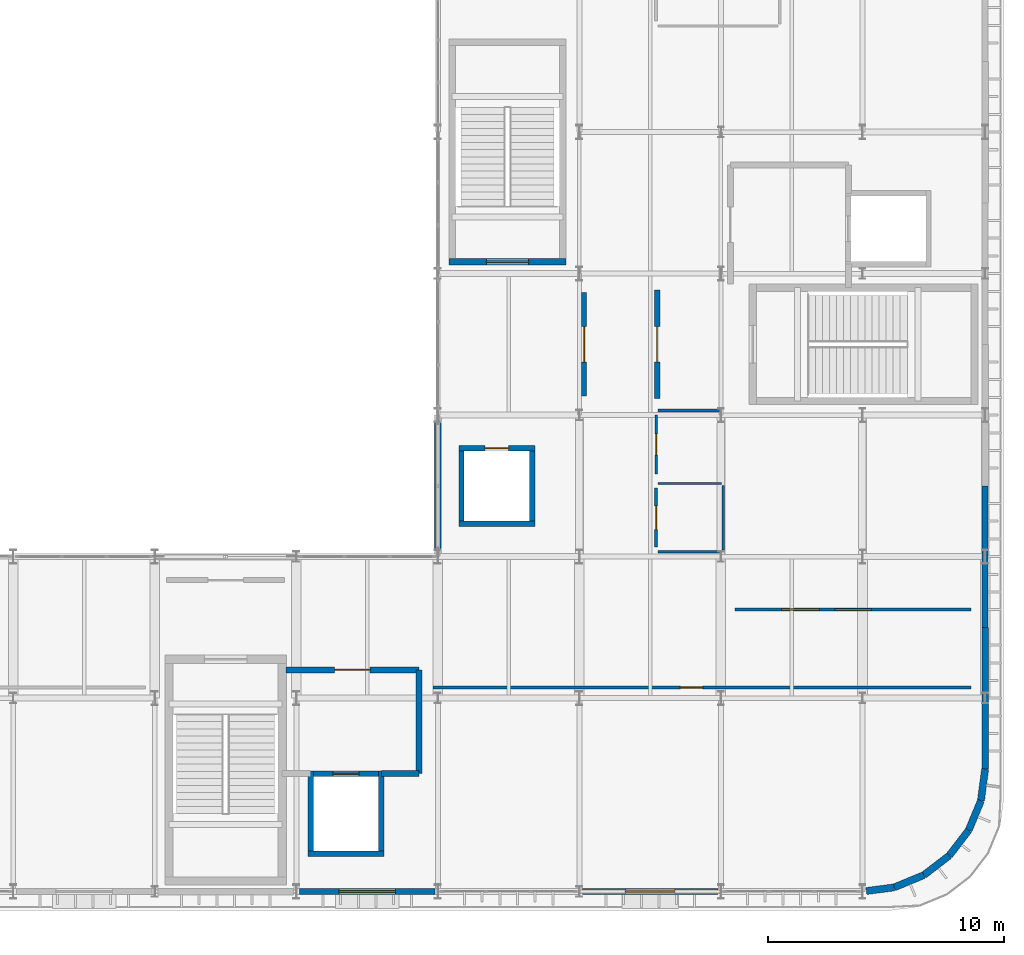
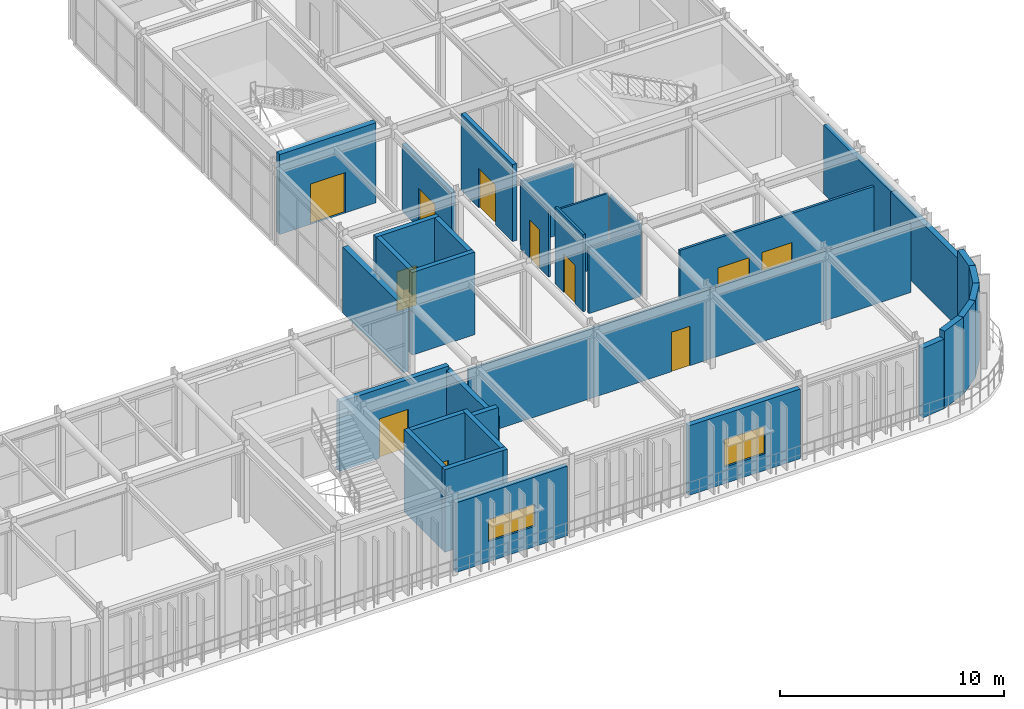
# One storey, part 70 of 96: 33 walls, 10 doors, 3 windows, 13 openings.
"""IFC4 building model written with IfcOpenShell, lengths in metres."""

from ifc_helpers import new_model, si_unit, direction, frame, frame_2d, origin, place, context, subcontext, project, spatial, rectangle, extrude, material, layer, layer_set, type_object, element, fill, save


model = new_model("IFC4")

# Units and contexts
model_context = context("Model", 3, precision=1e-05, world=origin(), true_north=direction((0.0, 1.0)))
body_context = subcontext(model_context, "Body", "Model", "MODEL_VIEW")
ifc_project = project(units=[si_unit("LENGTHUNIT", "METRE"), si_unit("AREAUNIT", "SQUARE_METRE"), si_unit("VOLUMEUNIT", "CUBIC_METRE"), si_unit("PLANEANGLEUNIT", "RADIAN"), si_unit("MASSUNIT", "GRAM", prefix="KILO")], contexts=[model_context])

# Site, building, storey
site_placement = place(None, origin())
site = spatial("IfcSite", under=ifc_project, at=site_placement, CompositionType="ELEMENT")
building_placement = place(site_placement, origin())
building = spatial("IfcBuilding", under=site, at=building_placement, Name="Varnakota Square Police Headquarters", CompositionType="ELEMENT")
storey_placement = place(building_placement, frame((0.0, 0.0, 4.800048828125)))
storey = spatial("IfcBuildingStorey", under=building, at=storey_placement, Name="L01", CompositionType="ELEMENT", Elevation=4.800048828125)

# Walls
ifc_material_1 = material(Name="Concrete M40", Category="concrete")
ifc_layer_1 = layer(ifc_material_1, 0.22998046875, Name="Concrete M40")
ifc_layer_set_1 = layer_set([ifc_layer_1], Name="Concrete M40")
wall_type_1 = type_object("IfcWallType", Name="WL-CORE-230", PredefinedType="SHEAR", material=ifc_layer_set_1)
wall_1_placement = place(storey_placement, frame((132.485107421875, 2.39990234375, 0.0), z_axis=(0.0, 0.0, 1.0), x_axis=(1.0, 0.0, 0.0)))
element("IfcWall", 1, at=wall_1_placement, inside=storey, type_object=wall_type_1, Name="Lift shaft wall LF-FF1 L01 S", PredefinedType="SHEAR", context=body_context, shape_type="SweptSolid", body=[
    extrude(rectangle(XDim=3.22998046875, YDim=0.22998046875, at=frame_2d((1.614990234375, 0.0))), origin(), (0.0, 0.0, 1.0), 4.5),
])
wall_2_placement = place(storey_placement, frame((135.60009765625, 2.284912109375, 0.0), z_axis=(0.0, 0.0, 1.0), x_axis=(0.0, 1.0, 0.0)))
element("IfcWall", 2, at=wall_2_placement, inside=storey, type_object=wall_type_1, Name="Lift shaft wall LF-FF1 L01 E", PredefinedType="SHEAR", context=body_context, shape_type="SweptSolid", body=[
    extrude(rectangle(XDim=3.630126953125, YDim=0.22998046875, at=frame_2d((1.81494140625, 0.0))), origin(), (0.0, 0.0, 1.0), 4.5),
])

# Wall, opening, door
wall_3_placement = place(storey_placement, frame((135.715087890625, 5.800048828125, 0.0), z_axis=(0.0, 0.0, 1.0), x_axis=(-1.0, 0.0, 0.0)))
wall_3 = element("IfcWall", 3, at=wall_3_placement, inside=storey, type_object=wall_type_1, Name="Lift shaft wall LF-FF1 L01 N", PredefinedType="SHEAR", context=body_context, shape_type="SweptSolid", body=[
    extrude(rectangle(XDim=3.22998046875, YDim=0.22998046875, at=frame_2d((1.614990234375, 0.0))), origin(), (0.0, 0.0, 1.0), 4.5),
])
opening_1_placement = place(wall_3_placement, frame((1.06494140625, 0.0, 0.0)))
opening_1 = element("IfcOpeningElement", 4, at=opening_1_placement, cuts=wall_3, Name="Opening LD002", PredefinedType="OPENING", context=body_context, shape_type="SweptSolid", body=[
    extrude(rectangle(XDim=1.10009765625, YDim=2.199951171875, at=frame_2d((0.550048828125, 1.10009765625))), frame((0.0, 0.125, 0.0), z_axis=(0.0, -1.0, 0.0), x_axis=(1.0, 0.0, 0.0)), (0.0, 0.0, 1.0), 0.25),
])
ifc_material_2 = material(Name="Brushed Grade 316 Stainless Steel", Category="steel")
door_type_1 = type_object("IfcDoorType", Name="DR-LD-FF", OperationType="NOTDEFINED", PredefinedType="DOOR", material=ifc_material_2)
door_1_placement = place(opening_1_placement, origin())
door_1 = element("IfcDoor", 5, at=door_1_placement, inside=storey, type_object=door_type_1, Name="Lift sliding landing door LD002", OperationType="SLIDING_TO_LEFT", OverallHeight=2.199951171875, OverallWidth=1.10009765625, PredefinedType="DOOR", context=body_context, shape_type="SweptSolid", body=[
    extrude(rectangle(XDim=1.10009765625, YDim=2.199951171875, at=frame_2d((0.550048828125, 1.10009765625))), frame((0.0, 0.02490234375, 0.0), z_axis=(0.0, -1.0, 0.0), x_axis=(1.0, 0.0, 0.0)), (0.0, 0.0, 1.0), 0.050048828125),
])
fill(opening_1, door_1)

# Walls
wall_4_placement = place(storey_placement, frame((132.60009765625, 5.9150390625, 0.0), z_axis=(0.0, 0.0, 1.0), x_axis=(0.0, -1.0, 0.0)))
element("IfcWall", 6, at=wall_4_placement, inside=storey, type_object=wall_type_1, Name="Lift shaft wall LF-FF1 L01 W", PredefinedType="SHEAR", context=body_context, shape_type="SweptSolid", body=[
    extrude(rectangle(XDim=3.630126953125, YDim=0.22998046875, at=frame_2d((1.81494140625, 0.0))), origin(), (0.0, 0.0, 1.0), 4.5),
])
wall_5_placement = place(storey_placement, frame((138.885009765625, 16.39990234375, 0.0), z_axis=(0.0, 0.0, 1.0), x_axis=(1.0, 0.0, 0.0)))
element("IfcWall", 7, at=wall_5_placement, inside=storey, type_object=wall_type_1, Name="Lift shaft wall LF-P1 L01 S", PredefinedType="SHEAR", context=body_context, shape_type="SweptSolid", body=[
    extrude(rectangle(XDim=3.22998046875, YDim=0.22998046875, at=frame_2d((1.614990234375, 0.0))), origin(), (0.0, 0.0, 1.0), 4.5),
])
wall_6_placement = place(storey_placement, frame((142.0, 16.284912109375, 0.0), z_axis=(0.0, 0.0, 1.0), x_axis=(0.0, 1.0, 0.0)))
element("IfcWall", 8, at=wall_6_placement, inside=storey, type_object=wall_type_1, Name="Lift shaft wall LF-P1 L01 E", PredefinedType="SHEAR", context=body_context, shape_type="SweptSolid", body=[
    extrude(rectangle(XDim=3.43017578125, YDim=0.22998046875, at=frame_2d((1.715087890625, 0.0))), origin(), (0.0, 0.0, 1.0), 4.5),
])

# Wall, opening, door
wall_7_placement = place(storey_placement, frame((142.114990234375, 19.60009765625, 0.0), z_axis=(0.0, 0.0, 1.0), x_axis=(-1.0, 0.0, 0.0)))
wall_7 = element("IfcWall", 9, at=wall_7_placement, inside=storey, type_object=wall_type_1, Name="Lift shaft wall LF-P1 L01 N", PredefinedType="SHEAR", context=body_context, shape_type="SweptSolid", body=[
    extrude(rectangle(XDim=3.22998046875, YDim=0.22998046875, at=frame_2d((1.614990234375, 0.0))), origin(), (0.0, 0.0, 1.0), 4.5),
])
opening_2_placement = place(wall_7_placement, frame((1.114990234375, 0.0, 0.0)))
opening_2 = element("IfcOpeningElement", 10, at=opening_2_placement, cuts=wall_7, Name="Opening LD018", PredefinedType="OPENING", context=body_context, shape_type="SweptSolid", body=[
    extrude(rectangle(XDim=1.0, YDim=2.14990234375, at=frame_2d((0.5, 1.074951171875))), frame((0.0, 0.125, 0.0), z_axis=(0.0, -1.0, 0.0), x_axis=(1.0, 0.0, 0.0)), (0.0, 0.0, 1.0), 0.25),
])
door_type_2 = type_object("IfcDoorType", Name="DR-LD-PAX", OperationType="NOTDEFINED", PredefinedType="DOOR", material=ifc_material_2)
door_2_placement = place(opening_2_placement, origin())
door_2 = element("IfcDoor", 11, at=door_2_placement, inside=storey, type_object=door_type_2, Name="Lift sliding landing door LD018", OperationType="SLIDING_TO_LEFT", OverallHeight=2.14990234375, OverallWidth=1.0, PredefinedType="DOOR", context=body_context, shape_type="SweptSolid", body=[
    extrude(rectangle(XDim=1.0, YDim=2.14990234375, at=frame_2d((0.5, 1.074951171875))), frame((0.0, 0.02490234375, 0.0), z_axis=(0.0, -1.0, 0.0), x_axis=(1.0, 0.0, 0.0)), (0.0, 0.0, 1.0), 0.050048828125),
])
fill(opening_2, door_2)

# Wall
wall_8_placement = place(storey_placement, frame((139.0, 19.715087890625, 0.0), z_axis=(0.0, 0.0, 1.0), x_axis=(0.0, -1.0, 0.0)))
element("IfcWall", 12, at=wall_8_placement, inside=storey, type_object=wall_type_1, Name="Lift shaft wall LF-P1 L01 W", PredefinedType="SHEAR", context=body_context, shape_type="SweptSolid", body=[
    extrude(rectangle(XDim=3.43017578125, YDim=0.22998046875, at=frame_2d((1.715087890625, 0.0))), origin(), (0.0, 0.0, 1.0), 4.5),
])

# Wall, opening, door
ifc_material_3 = material(Name="Concrete M50", Category="concrete")
ifc_layer_2 = layer(ifc_material_3, 0.27001953125, Name="Concrete M50")
ifc_layer_set_2 = layer_set([ifc_layer_2], Name="Concrete M50")
wall_type_2 = type_object("IfcWallType", Name="WL-CORE-270", PredefinedType="SHEAR", material=ifc_layer_set_2)
wall_9_placement = place(storey_placement, frame((138.465087890625, 27.5, 0.0), z_axis=(0.0, 0.0, 1.0), x_axis=(1.0, 0.0, 0.0)))
wall_9 = element("IfcWall", 13, at=wall_9_placement, inside=storey, type_object=wall_type_2, Name="Core C3 shear wall L01 S", PredefinedType="SHEAR", context=body_context, shape_type="SweptSolid", body=[
    extrude(rectangle(XDim=4.969970703125, YDim=0.27001953125, at=frame_2d((2.48486328125, 0.0))), origin(), (0.0, 0.0, 1.0), 4.35986328125),
])
opening_3_placement = place(wall_9_placement, frame((1.5849609375, 0.0, 0.0)))
opening_3 = element("IfcOpeningElement", 14, at=opening_3_placement, cuts=wall_9, Name="Opening SD050", PredefinedType="OPENING", context=body_context, shape_type="SweptSolid", body=[
    extrude(rectangle(XDim=1.800048828125, YDim=2.199951171875, at=frame_2d((0.89990234375, 1.10009765625))), frame((0.0, 0.14501953125, 0.0), z_axis=(0.0, -1.0, 0.0), x_axis=(1.0, 0.0, 0.0)), (0.0, 0.0, 1.0), 0.2900390625),
])
ifc_material_4 = material(Name="Powder-Coated Galvanised Steel", Category="steel")
door_type_3 = type_object("IfcDoorType", Name="DR-ST-180", OperationType="NOTDEFINED", PredefinedType="DOOR", material=ifc_material_4)
door_3_placement = place(opening_3_placement, origin())
door_3 = element("IfcDoor", 15, at=door_3_placement, inside=storey, type_object=door_type_3, Name="Protected stair door SD050", OperationType="DOUBLE_DOOR_SINGLE_SWING", OverallHeight=2.199951171875, OverallWidth=1.800048828125, PredefinedType="DOOR", context=body_context, shape_type="SweptSolid", body=[
    extrude(rectangle(XDim=1.800048828125, YDim=2.199951171875, at=frame_2d((0.89990234375, 1.10009765625))), frame((0.0, 0.02490234375, 0.0), z_axis=(0.0, -1.0, 0.0), x_axis=(1.0, 0.0, 0.0)), (0.0, 0.0, 1.0), 0.050048828125),
])
fill(opening_3, door_3)

# Wall, opening, window
ifc_layer_3 = layer(ifc_material_1, 0.260009765625, Name="Concrete M40")
ifc_layer_set_3 = layer_set([ifc_layer_3], Name="Concrete M40")
wall_type_3 = type_object("IfcWallType", Name="WL-EXT-260", PredefinedType="SOLIDWALL", material=ifc_layer_set_3)
wall_10_placement = place(storey_placement, frame((132.12890625, 0.800048828125, 0.0), z_axis=(0.0, 0.0, 1.0), x_axis=(1.0, 0.0, 0.0)))
wall_10 = element("IfcWall", 16, at=wall_10_placement, inside=storey, type_object=wall_type_3, Name="Exterior wall EW-L01-0143", PredefinedType="SOLIDWALL", context=body_context, shape_type="SweptSolid", body=[
    extrude(rectangle(XDim=5.7421875, YDim=0.260009765625, at=frame_2d((2.87109375, 0.0))), origin(), (0.0, 0.0, 1.0), 3.7900390625),
])
opening_4_placement = place(wall_10_placement, frame((1.6708984375, 0.0, 1.10009765625)))
opening_4 = element("IfcOpeningElement", 17, at=opening_4_placement, cuts=wall_10, Name="Opening W06", PredefinedType="OPENING", context=body_context, shape_type="SweptSolid", body=[
    extrude(rectangle(XDim=2.39990234375, YDim=1.199951171875, at=frame_2d((1.199951171875, 0.60009765625))), frame((0.0, 0.139892578125, 0.0), z_axis=(0.0, -1.0, 0.0), x_axis=(1.0, 0.0, 0.0)), (0.0, 0.0, 1.0), 0.280029296875),
])
ifc_material_5 = material(Name="Thermally Broken Aluminium Double-Glazed Window", Category="aluminium")
window_type_1 = type_object("IfcWindowType", Name="WIN-06", PartitioningType="SINGLE_PANEL", PredefinedType="WINDOW", material=ifc_material_5)
window_1_placement = place(opening_4_placement, origin())
window_1 = element("IfcWindow", 18, at=window_1_placement, inside=storey, type_object=window_type_1, Name="Window WN-L01-0020", OverallHeight=1.199951171875, OverallWidth=2.39990234375, PartitioningType="SINGLE_PANEL", PredefinedType="WINDOW", context=body_context, shape_type="SweptSolid", body=[
    extrude(rectangle(XDim=2.39990234375, YDim=1.199951171875, at=frame_2d((1.199951171875, 0.60009765625))), frame((0.0, 0.030029296875, 0.0), z_axis=(0.0, -1.0, 0.0), x_axis=(1.0, 0.0, 0.0)), (0.0, 0.0, 1.0), 0.06005859375),
])
fill(opening_4, window_1)

wall_11_placement = place(storey_placement, frame((144.12890625, 0.800048828125, 0.0), z_axis=(0.0, 0.0, 1.0), x_axis=(1.0, 0.0, 0.0)))
wall_11 = element("IfcWall", 19, at=wall_11_placement, inside=storey, type_object=wall_type_3, Name="Exterior wall EW-L01-0144", PredefinedType="SOLIDWALL", context=body_context, shape_type="SweptSolid", body=[
    extrude(rectangle(XDim=5.7421875, YDim=0.260009765625, at=frame_2d((2.87109375, 0.0))), origin(), (0.0, 0.0, 1.0), 3.7900390625),
])
opening_5_placement = place(wall_11_placement, frame((1.821044921875, 0.0, 0.89990234375)))
opening_5 = element("IfcOpeningElement", 20, at=opening_5_placement, cuts=wall_11, Name="Opening W08", PredefinedType="OPENING", context=body_context, shape_type="SweptSolid", body=[
    extrude(rectangle(XDim=2.10009765625, YDim=1.5, at=frame_2d((1.050048828125, 0.75))), frame((0.0, 0.139892578125, 0.0), z_axis=(0.0, -1.0, 0.0), x_axis=(1.0, 0.0, 0.0)), (0.0, 0.0, 1.0), 0.280029296875),
])
window_type_2 = type_object("IfcWindowType", Name="WIN-08", PartitioningType="SINGLE_PANEL", PredefinedType="WINDOW", material=ifc_material_5)
window_2_placement = place(opening_5_placement, origin())
window_2 = element("IfcWindow", 21, at=window_2_placement, inside=storey, type_object=window_type_2, Name="Window WN-L01-0021", OverallHeight=1.5, OverallWidth=2.10009765625, PartitioningType="SINGLE_PANEL", PredefinedType="WINDOW", context=body_context, shape_type="SweptSolid", body=[
    extrude(rectangle(XDim=2.10009765625, YDim=1.5, at=frame_2d((1.050048828125, 0.75))), frame((0.0, 0.030029296875, 0.0), z_axis=(0.0, -1.0, 0.0), x_axis=(1.0, 0.0, 0.0)), (0.0, 0.0, 1.0), 0.06005859375),
])
fill(opening_5, window_2)

# Walls
wall_12_placement = place(storey_placement, frame((161.199951171875, 12.0, 0.0), z_axis=(0.0, 0.0, 1.0), x_axis=(0.0, 1.0, 0.0)))
element("IfcWall", 22, at=wall_12_placement, inside=storey, type_object=wall_type_3, Name="Exterior wall EW-L01-0146", PredefinedType="SOLIDWALL", context=body_context, shape_type="SweptSolid", body=[
    extrude(rectangle(XDim=6.0, YDim=0.260009765625, at=frame_2d((3.0, 0.0))), origin(), (0.0, 0.0, 1.0), 3.739990234375),
])
ifc_layer_4 = layer(ifc_material_1, 0.280029296875, Name="Concrete M40")
ifc_layer_set_4 = layer_set([ifc_layer_4], Name="Concrete M40")
wall_type_4 = type_object("IfcWallType", Name="WL-EXT-280", PredefinedType="SOLIDWALL", material=ifc_layer_set_4)
wall_13_placement = place(storey_placement, frame((161.199951171875, 6.0, 0.0), z_axis=(0.0, 0.0, 1.0), x_axis=(0.0, 1.0, 0.0)))
element("IfcWall", 23, at=wall_13_placement, inside=storey, type_object=wall_type_4, Name="Exterior wall EW-L01-0145", PredefinedType="SOLIDWALL", context=body_context, shape_type="SweptSolid", body=[
    extrude(rectangle(XDim=6.0, YDim=0.280029296875, at=frame_2d((3.0, 0.0))), origin(), (0.0, 0.0, 1.0), 3.739990234375),
])
wall_14_placement = place(storey_placement, frame((138.0, 15.303955078125, 0.0), z_axis=(0.0, 0.0, 1.0), x_axis=(0.0, 1.0, 0.0)))
element("IfcWall", 24, at=wall_14_placement, inside=storey, type_object=wall_type_4, Name="Exterior wall EW-L01-0152", PredefinedType="SOLIDWALL", context=body_context, shape_type="SweptSolid", body=[
    extrude(rectangle(XDim=5.39208984375, YDim=0.280029296875, at=frame_2d((2.696044921875, 0.0))), origin(), (0.0, 0.0, 1.0), 3.58984375),
])
ifc_material_6 = material(Name="Precast concrete M40", Category="concrete")
ifc_layer_5 = layer(ifc_material_6, 0.300048828125, Name="Precast concrete M40")
ifc_layer_set_5 = layer_set([ifc_layer_5], Name="Precast concrete M40")
wall_type_5 = type_object("IfcWallType", Name="WL-EXT-300", PredefinedType="SOLIDWALL", material=ifc_layer_set_5)
wall_15_placement = place(storey_placement, frame((156.165771484375, 0.82177734375, 0.0), z_axis=(0.0, 0.0, 1.0), x_axis=(0.991429146379, 0.130645503981, 0.0)))
element("IfcWall", 25, at=wall_15_placement, inside=storey, type_object=wall_type_5, Name="Exterior wall EW-L01-0164", PredefinedType="SOLIDWALL", context=body_context, shape_type="SweptSolid", body=[
    extrude(rectangle(XDim=1.1904296875, YDim=0.300048828125, at=frame_2d((0.59521484375, 0.0))), origin(), (0.0, 0.0, 1.0), 3.7900390625),
])
for number, where, z_axis, x_axis, name in (
    (26, (157.345947265625, 0.977294921875, 0.0), (0.0, 0.0, 1.0), (0.923931353894, 0.382558300513, 0.0), "Exterior wall EW-L01-0165"),
    (27, (158.60009765625, 1.49658203125, 0.0), (0.0, 0.0, 1.0), (0.793325486746, 0.608797726736, 0.0), "Exterior wall EW-L01-0166"),
    (28, (159.677001953125, 2.322998046875, 0.0), (0.0, 0.0, 1.0), (0.608797726736, 0.793325486746, 0.0), "Exterior wall EW-L01-0167"),
    (29, (160.50341796875, 3.39990234375, 0.0), (0.0, 0.0, 1.0), (0.382558300513, 0.923931353894, 0.0), "Exterior wall EW-L01-0168"),
):
    element("IfcWall", number, at=place(storey_placement, frame(where, z_axis=z_axis, x_axis=x_axis)), inside=storey, type_object=wall_type_5, Name=name, PredefinedType="SOLIDWALL", context=body_context, shape_type="SweptSolid", body=[
        extrude(rectangle(XDim=1.357421875, YDim=0.300048828125, at=frame_2d((0.6787109375, 0.0))), origin(), (0.0, 0.0, 1.0), 4.195068359375),
    ])
wall_16_placement = place(storey_placement, frame((161.022705078125, 4.654052734375, 0.0), z_axis=(0.0, 0.0, 1.0), x_axis=(0.130561507967, 0.991440211328, 0.0)))
element("IfcWall", 30, at=wall_16_placement, inside=storey, type_object=wall_type_5, Name="Exterior wall EW-L01-0169", PredefinedType="SOLIDWALL", context=body_context, shape_type="SweptSolid", body=[
    extrude(rectangle(XDim=1.357666015625, YDim=0.300048828125, at=frame_2d((0.6787109375, 0.0))), origin(), (0.0, 0.0, 1.0), 4.195068359375),
])
ifc_material_7 = material(Name="Lightweight Demountable Office Partition", Category="gypsum")
ifc_layer_6 = layer(ifc_material_7, 0.094970703125, Name="Lightweight Demountable Office Partition")
ifc_layer_set_6 = layer_set([ifc_layer_6], Name="Lightweight Demountable Office Partition")
wall_type_6 = type_object("IfcWallType", Name="WL-PRT-095", PredefinedType="PARTITIONING", material=ifc_layer_set_6)
wall_17_placement = place(storey_placement, frame((147.330078125, 18.10009765625, 0.0), z_axis=(0.0, 0.0, 1.0), x_axis=(1.0, 0.0, 0.0)))
element("IfcWall", 31, at=wall_17_placement, inside=storey, type_object=wall_type_6, Name="Interior dividing partition PW-L01-0110 (L01 Accessible WC East)", PredefinedType="PARTITIONING", context=body_context, shape_type="SweptSolid", body=[
    extrude(rectangle(XDim=2.68994140625, YDim=0.094970703125, at=frame_2d((1.344970703125, 0.0))), origin(), (0.0, 0.0, 1.0), 3.865966796875),
])

# Wall, opening, door
ifc_material_8 = material(Name="Glazed Clean-Lab Modular Partition", Category="gypsum")
ifc_layer_7 = layer(ifc_material_8, 0.10498046875, Name="Glazed Clean-Lab Modular Partition")
ifc_layer_set_7 = layer_set([ifc_layer_7], Name="Glazed Clean-Lab Modular Partition")
wall_type_7 = type_object("IfcWallType", Name="WL-PRT-105", PredefinedType="PARTITIONING", material=ifc_layer_set_7)
wall_18_placement = place(storey_placement, frame((147.25, 18.5, 0.0), z_axis=(0.0, 0.0, 1.0), x_axis=(0.0, 1.0, 0.0)))
wall_18 = element("IfcWall", 32, at=wall_18_placement, inside=storey, type_object=wall_type_7, Name="Interior partition PW-L01-0083 (L01 Operations Men Washroom WC)", PredefinedType="PARTITIONING", context=body_context, shape_type="SweptSolid", body=[
    extrude(rectangle(XDim=2.5, YDim=0.10498046875, at=frame_2d((1.25, 0.0))), origin(), (0.0, 0.0, 1.0), 3.58984375),
])
opening_6_placement = place(wall_18_placement, frame((0.800048828125, 0.0, 0.0)))
opening_6 = element("IfcOpeningElement", 33, at=opening_6_placement, cuts=wall_18, Name="Opening D189", PredefinedType="OPENING", context=body_context, shape_type="SweptSolid", body=[
    extrude(rectangle(XDim=0.89990234375, YDim=2.10009765625, at=frame_2d((0.449951171875, 1.050048828125))), frame((0.0, 0.0625, 0.0), z_axis=(0.0, -1.0, 0.0), x_axis=(1.0, 0.0, 0.0)), (0.0, 0.0, 1.0), 0.125),
])
ifc_material_9 = material(Name="High-Pressure Moisture-Resistant Compact Laminate")
door_type_4 = type_object("IfcDoorType", Name="DR-WC-090", OperationType="NOTDEFINED", PredefinedType="DOOR", material=ifc_material_9)
door_4_placement = place(opening_6_placement, origin())
door_4 = element("IfcDoor", 34, at=door_4_placement, inside=storey, type_object=door_type_4, Name="Room door D189 (L01 Operations Men Washroom WC)", OperationType="SINGLE_SWING_LEFT", OverallHeight=2.10009765625, OverallWidth=0.89990234375, PredefinedType="DOOR", context=body_context, shape_type="SweptSolid", body=[
    extrude(rectangle(XDim=0.89990234375, YDim=2.10009765625, at=frame_2d((0.449951171875, 1.050048828125))), frame((0.0, 0.02490234375, 0.0), z_axis=(0.0, -1.0, 0.0), x_axis=(1.0, 0.0, 0.0)), (0.0, 0.0, 1.0), 0.050048828125),
])
fill(opening_6, door_4)

# Wall
wall_19_placement = place(storey_placement, frame((150.02001953125, 15.199951171875, 0.0), z_axis=(0.0, 0.0, 1.0), x_axis=(-1.0, 0.0, 0.0)))
element("IfcWall", 35, at=wall_19_placement, inside=storey, type_object=wall_type_7, Name="Interior dividing partition PW-L01-0109 (L01 Accessible WC East)", PredefinedType="PARTITIONING", context=body_context, shape_type="SweptSolid", body=[
    extrude(rectangle(XDim=2.68994140625, YDim=0.10498046875, at=frame_2d((1.344970703125, 0.0))), origin(), (0.0, 0.0, 1.0), 3.58984375),
])

# Wall, opening, door
ifc_material_10 = material(Name="Moisture-Resistant Tile-Backed Partition", Category="gypsum")
ifc_layer_8 = layer(ifc_material_10, 0.114990234375, Name="Moisture-Resistant Tile-Backed Partition")
ifc_layer_set_8 = layer_set([ifc_layer_8], Name="Moisture-Resistant Tile-Backed Partition")
wall_type_8 = type_object("IfcWallType", Name="WL-PRT-115", PredefinedType="PARTITIONING", material=ifc_layer_set_8)
wall_20_placement = place(storey_placement, frame((137.800048828125, 9.449951171875, 0.0), z_axis=(0.0, 0.0, 1.0), x_axis=(1.0, 0.0, 0.0)))
wall_20 = element("IfcWall", 36, at=wall_20_placement, inside=storey, type_object=wall_type_8, Name="Interior partition PW-L01-0097 (District Coordination Office)", PredefinedType="PARTITIONING", context=body_context, shape_type="SweptSolid", body=[
    extrude(rectangle(XDim=22.800048828125, YDim=0.114990234375, at=frame_2d((11.39990234375, 0.0))), origin(), (0.0, 0.0, 1.0), 3.783447265625),
])
opening_7_placement = place(wall_20_placement, frame((10.47509765625, 0.0, 0.0)))
opening_7 = element("IfcOpeningElement", 37, at=opening_7_placement, cuts=wall_20, Name="Opening D203", PredefinedType="OPENING", context=body_context, shape_type="SweptSolid", body=[
    extrude(rectangle(XDim=0.949951171875, YDim=2.14990234375, at=frame_2d((0.47509765625, 1.074951171875))), frame((0.0, 0.0673828125, 0.0), z_axis=(0.0, -1.0, 0.0), x_axis=(1.0, 0.0, 0.0)), (0.0, 0.0, 1.0), 0.135009765625),
])
ifc_material_11 = material(Name="Solid-Core Teak Veneer Hardwood", Category="wood")
door_type_5 = type_object("IfcDoorType", Name="DR-OFF-095", OperationType="NOTDEFINED", PredefinedType="DOOR", material=ifc_material_11)
door_5_placement = place(opening_7_placement, origin())
door_5 = element("IfcDoor", 38, at=door_5_placement, inside=storey, type_object=door_type_5, Name="Room door D203 (District Coordination Office)", OperationType="SINGLE_SWING_RIGHT", OverallHeight=2.14990234375, OverallWidth=0.949951171875, PredefinedType="DOOR", context=body_context, shape_type="SweptSolid", body=[
    extrude(rectangle(XDim=0.949951171875, YDim=2.14990234375, at=frame_2d((0.47509765625, 1.074951171875))), frame((0.0, 0.02490234375, 0.0), z_axis=(0.0, -1.0, 0.0), x_axis=(1.0, 0.0, 0.0)), (0.0, 0.0, 1.0), 0.050048828125),
])
fill(opening_7, door_5)

# Wall
wall_21_placement = place(storey_placement, frame((150.10009765625, 18.02001953125, 0.0), z_axis=(0.0, 0.0, 1.0), x_axis=(0.0, -1.0, 0.0)))
element("IfcWall", 39, at=wall_21_placement, inside=storey, type_object=wall_type_8, Name="Interior dividing partition PW-L01-0108 (L01 Accessible WC East)", PredefinedType="PARTITIONING", context=body_context, shape_type="SweptSolid", body=[
    extrude(rectangle(XDim=2.739990234375, YDim=0.114990234375, at=frame_2d((1.3701171875, 0.0))), origin(), (0.0, 0.0, 1.0), 3.783447265625),
])

# Wall, opening, door
ifc_material_12 = material(Name="Acoustic Insulated Metal-Stud Partition", Category="gypsum")
ifc_layer_9 = layer(ifc_material_12, 0.125, Name="Acoustic Insulated Metal-Stud Partition")
ifc_layer_set_9 = layer_set([ifc_layer_9], Name="Acoustic Insulated Metal-Stud Partition")
wall_type_9 = type_object("IfcWallType", Name="WL-PRT-125", PredefinedType="PARTITIONING", material=ifc_layer_set_9)
wall_22_placement = place(storey_placement, frame((147.25, 15.39990234375, 0.0), z_axis=(0.0, 0.0, 1.0), x_axis=(0.0, 1.0, 0.0)))
wall_22 = element("IfcWall", 40, at=wall_22_placement, inside=storey, type_object=wall_type_9, Name="Interior partition PW-L01-0082 (L01 Accessible WC East)", PredefinedType="PARTITIONING", context=body_context, shape_type="SweptSolid", body=[
    extrude(rectangle(XDim=2.5, YDim=0.125, at=frame_2d((1.25, 0.0))), origin(), (0.0, 0.0, 1.0), 4.18994140625),
])
opening_8_placement = place(wall_22_placement, frame((0.75, 0.0, 0.0)))
opening_8 = element("IfcOpeningElement", 41, at=opening_8_placement, cuts=wall_22, Name="Opening D188", PredefinedType="OPENING", context=body_context, shape_type="SweptSolid", body=[
    extrude(rectangle(XDim=1.0, YDim=2.10009765625, at=frame_2d((0.5, 1.050048828125))), frame((0.0, 0.072509765625, 0.0), z_axis=(0.0, -1.0, 0.0), x_axis=(1.0, 0.0, 0.0)), (0.0, 0.0, 1.0), 0.14501953125),
])
ifc_material_13 = material(Name="Antimicrobial High-Pressure Compact Laminate")
door_type_6 = type_object("IfcDoorType", Name="DR-WCA-100", OperationType="NOTDEFINED", PredefinedType="DOOR", material=ifc_material_13)
door_6_placement = place(opening_8_placement, origin())
door_6 = element("IfcDoor", 42, at=door_6_placement, inside=storey, type_object=door_type_6, Name="Room door D188 (L01 Accessible WC East)", OperationType="SINGLE_SWING_RIGHT", OverallHeight=2.10009765625, OverallWidth=1.0, PredefinedType="DOOR", context=body_context, shape_type="SweptSolid", body=[
    extrude(rectangle(XDim=1.0, YDim=2.10009765625, at=frame_2d((0.5, 1.050048828125))), frame((0.0, 0.02490234375, 0.0), z_axis=(0.0, -1.0, 0.0), x_axis=(1.0, 0.0, 0.0)), (0.0, 0.0, 1.0), 0.050048828125),
])
fill(opening_8, door_6)

# Wall, openings, door, window
wall_23_placement = place(storey_placement, frame((160.60009765625, 12.75, 0.0), z_axis=(0.0, 0.0, 1.0), x_axis=(-1.0, 0.0, 0.0)))
wall_23 = element("IfcWall", 43, at=wall_23_placement, inside=storey, type_object=wall_type_9, Name="Interior partition PW-L01-0099 (Operations Conference Room)", PredefinedType="PARTITIONING", context=body_context, shape_type="SweptSolid", body=[
    extrude(rectangle(XDim=10.0, YDim=0.125, at=frame_2d((5.0, 0.0))), origin(), (0.0, 0.0, 1.0), 3.783447265625),
])
opening_9_placement = place(wall_23_placement, frame((4.22509765625, 0.0, 0.0)))
opening_9 = element("IfcOpeningElement", 44, at=opening_9_placement, cuts=wall_23, Name="Opening D205", PredefinedType="OPENING", context=body_context, shape_type="SweptSolid", body=[
    extrude(rectangle(XDim=1.550048828125, YDim=2.199951171875, at=frame_2d((0.77490234375, 1.10009765625))), frame((0.0, 0.072509765625, 0.0), z_axis=(0.0, -1.0, 0.0), x_axis=(1.0, 0.0, 0.0)), (0.0, 0.0, 1.0), 0.14501953125),
])
opening_10_placement = place(wall_23_placement, frame((6.425048828125, 0.0, 1.050048828125)))
opening_10 = element("IfcOpeningElement", 45, at=opening_10_placement, cuts=wall_23, Name="Opening IW03", PredefinedType="OPENING", context=body_context, shape_type="SweptSolid", body=[
    extrude(rectangle(XDim=1.60009765625, YDim=1.10009765625, at=frame_2d((0.800048828125, 0.550048828125))), frame((0.0, 0.072509765625, 0.0), z_axis=(0.0, -1.0, 0.0), x_axis=(1.0, 0.0, 0.0)), (0.0, 0.0, 1.0), 0.14501953125),
])
ifc_material_14 = material(Name="Solid-Core Acoustic Oak Veneer Timber", Category="wood")
door_type_7 = type_object("IfcDoorType", Name="DR-BRF-155", OperationType="NOTDEFINED", PredefinedType="DOOR", material=ifc_material_14)
door_7_placement = place(opening_9_placement, origin())
door_7 = element("IfcDoor", 46, at=door_7_placement, inside=storey, type_object=door_type_7, Name="Room door D205 (Operations Conference Room)", OperationType="DOUBLE_DOOR_SINGLE_SWING", OverallHeight=2.199951171875, OverallWidth=1.550048828125, PredefinedType="DOOR", context=body_context, shape_type="SweptSolid", body=[
    extrude(rectangle(XDim=1.550048828125, YDim=2.199951171875, at=frame_2d((0.77490234375, 1.10009765625))), frame((0.0, 0.02490234375, 0.0), z_axis=(0.0, -1.0, 0.0), x_axis=(1.0, 0.0, 0.0)), (0.0, 0.0, 1.0), 0.050048828125),
])
fill(opening_9, door_7)
ifc_material_15 = material(Name="Acoustic Laminated Interior Vision Glazing", Category="glass")
window_type_3 = type_object("IfcWindowType", Name="WIN-INT-03", PartitioningType="SINGLE_PANEL", PredefinedType="WINDOW", material=ifc_material_15)
window_3_placement = place(opening_10_placement, origin())
window_3 = element("IfcWindow", 47, at=window_3_placement, inside=storey, type_object=window_type_3, Name="Interior observation window IWN-L01-019", OverallHeight=1.10009765625, OverallWidth=1.60009765625, PartitioningType="SINGLE_PANEL", PredefinedType="WINDOW", context=body_context, shape_type="SweptSolid", body=[
    extrude(rectangle(XDim=1.60009765625, YDim=1.10009765625, at=frame_2d((0.800048828125, 0.550048828125))), frame((0.0, 0.030029296875, 0.0), z_axis=(0.0, -1.0, 0.0), x_axis=(1.0, 0.0, 0.0)), (0.0, 0.0, 1.0), 0.06005859375),
])
fill(opening_10, window_3)

# Wall
wall_24_placement = place(storey_placement, frame((147.330078125, 21.199951171875, 0.0), z_axis=(0.0, 0.0, 1.0), x_axis=(1.0, 0.0, 0.0)))
element("IfcWall", 48, at=wall_24_placement, inside=storey, type_object=wall_type_9, Name="Interior dividing partition PW-L01-0111 (L01 Operations Men Washroom WC)", PredefinedType="PARTITIONING", context=body_context, shape_type="SweptSolid", body=[
    extrude(rectangle(XDim=2.68994140625, YDim=0.125, at=frame_2d((1.344970703125, 0.0))), origin(), (0.0, 0.0, 1.0), 3.58984375),
])

# Wall, opening, door
ifc_layer_10 = layer(ifc_material_1, 0.215087890625, Name="Concrete M40")
ifc_layer_set_10 = layer_set([ifc_layer_10], Name="Concrete M40")
wall_type_10 = type_object("IfcWallType", Name="WL-PRT-215F", PredefinedType="PARTITIONING", material=ifc_layer_set_10)
wall_25_placement = place(storey_placement, frame((147.300048828125, 21.699951171875, 0.0), z_axis=(0.0, 0.0, 1.0), x_axis=(0.0, 1.0, 0.0)))
wall_25 = element("IfcWall", 49, at=wall_25_placement, inside=storey, type_object=wall_type_10, Name="Core C2 lobby fire partition L01", PredefinedType="PARTITIONING", context=body_context, shape_type="SweptSolid", body=[
    extrude(rectangle(XDim=4.60009765625, YDim=0.215087890625, at=frame_2d((2.300048828125, 0.0))), origin(), (0.0, 0.0, 1.0), 4.18994140625),
])
opening_11_placement = place(wall_25_placement, frame((1.550048828125, 0.0, 0.0)))
opening_11 = element("IfcOpeningElement", 50, at=opening_11_placement, cuts=wall_25, Name="Opening FD035", PredefinedType="OPENING", context=body_context, shape_type="SweptSolid", body=[
    extrude(rectangle(XDim=1.5, YDim=2.14990234375, at=frame_2d((0.75, 1.074951171875))), frame((0.0, 0.117431640625, 0.0), z_axis=(0.0, -1.0, 0.0), x_axis=(1.0, 0.0, 0.0)), (0.0, 0.0, 1.0), 0.235107421875),
])
ifc_material_16 = material(Name="Smoke-Sealed Galvanised Acoustic Steel", Category="steel")
door_type_8 = type_object("IfcDoorType", Name="DR-FFL-150", OperationType="NOTDEFINED", PredefinedType="DOOR", material=ifc_material_16)
door_8_placement = place(opening_11_placement, origin())
door_8 = element("IfcDoor", 51, at=door_8_placement, inside=storey, type_object=door_type_8, Name="Core lobby smoke door FD035", OperationType="DOUBLE_DOOR_SINGLE_SWING", OverallHeight=2.14990234375, OverallWidth=1.5, PredefinedType="DOOR", context=body_context, shape_type="SweptSolid", body=[
    extrude(rectangle(XDim=1.5, YDim=2.14990234375, at=frame_2d((0.75, 1.074951171875))), frame((0.0, 0.02490234375, 0.0), z_axis=(0.0, -1.0, 0.0), x_axis=(1.0, 0.0, 0.0)), (0.0, 0.0, 1.0), 0.050048828125),
])
fill(opening_11, door_8)

wall_26_placement = place(storey_placement, frame((144.199951171875, 21.800048828125, 0.0), z_axis=(0.0, 0.0, 1.0), x_axis=(0.0, 1.0, 0.0)))
wall_26 = element("IfcWall", 52, at=wall_26_placement, inside=storey, type_object=wall_type_10, Name="Core C3 lobby fire partition L01", PredefinedType="PARTITIONING", context=body_context, shape_type="SweptSolid", body=[
    extrude(rectangle(XDim=4.39990234375, YDim=0.215087890625, at=frame_2d((2.199951171875, 0.0))), origin(), (0.0, 0.0, 1.0), 3.68994140625),
])
opening_12_placement = place(wall_26_placement, frame((1.449951171875, 0.0, 0.0)))
opening_12 = element("IfcOpeningElement", 53, at=opening_12_placement, cuts=wall_26, Name="Opening FD058", PredefinedType="OPENING", context=body_context, shape_type="SweptSolid", body=[
    extrude(rectangle(XDim=1.5, YDim=2.14990234375, at=frame_2d((0.75, 1.074951171875))), frame((0.0, 0.117431640625, 0.0), z_axis=(0.0, -1.0, 0.0), x_axis=(1.0, 0.0, 0.0)), (0.0, 0.0, 1.0), 0.235107421875),
])
door_9_placement = place(opening_12_placement, origin())
door_9 = element("IfcDoor", 54, at=door_9_placement, inside=storey, type_object=door_type_8, Name="Core lobby smoke door FD058", OperationType="DOUBLE_DOOR_SINGLE_SWING", OverallHeight=2.14990234375, OverallWidth=1.5, PredefinedType="DOOR", context=body_context, shape_type="SweptSolid", body=[
    extrude(rectangle(XDim=1.5, YDim=2.14990234375, at=frame_2d((0.75, 1.074951171875))), frame((0.0, 0.02490234375, 0.0), z_axis=(0.0, -1.0, 0.0), x_axis=(1.0, 0.0, 0.0)), (0.0, 0.0, 1.0), 0.050048828125),
])
fill(opening_12, door_9)

ifc_layer_11 = layer(ifc_material_1, 0.25, Name="Concrete M40")
ifc_layer_set_11 = layer_set([ifc_layer_11], Name="Concrete M40")
wall_type_11 = type_object("IfcWallType", Name="WL-PRT-250F", PredefinedType="PARTITIONING", material=ifc_layer_set_11)
wall_27_placement = place(storey_placement, frame((131.550048828125, 10.199951171875, 0.0), z_axis=(0.0, 0.0, 1.0), x_axis=(1.0, 0.0, 0.0)))
wall_27 = element("IfcWall", 55, at=wall_27_placement, inside=storey, type_object=wall_type_11, Name="Firefighting lobby enclosure C1 L01", PredefinedType="PARTITIONING", context=body_context, shape_type="SweptSolid", body=[
    extrude(rectangle(XDim=5.64990234375, YDim=0.25, at=frame_2d((2.824951171875, 0.0))), origin(), (0.0, 0.0, 1.0), 3.783447265625),
])
opening_13_placement = place(wall_27_placement, frame((2.074951171875, 0.0, 0.0)))
opening_13 = element("IfcOpeningElement", 56, at=opening_13_placement, cuts=wall_27, Name="Opening FD012", PredefinedType="OPENING", context=body_context, shape_type="SweptSolid", body=[
    extrude(rectangle(XDim=1.5, YDim=2.14990234375, at=frame_2d((0.75, 1.074951171875))), frame((0.0, 0.135009765625, 0.0), z_axis=(0.0, -1.0, 0.0), x_axis=(1.0, 0.0, 0.0)), (0.0, 0.0, 1.0), 0.27001953125),
])
door_10_placement = place(opening_13_placement, origin())
door_10 = element("IfcDoor", 57, at=door_10_placement, inside=storey, type_object=door_type_8, Name="Firefighting lobby fire door FD012", OperationType="DOUBLE_DOOR_SINGLE_SWING", OverallHeight=2.14990234375, OverallWidth=1.5, PredefinedType="DOOR", context=body_context, shape_type="SweptSolid", body=[
    extrude(rectangle(XDim=1.5, YDim=2.14990234375, at=frame_2d((0.75, 1.074951171875))), frame((0.0, 0.02490234375, 0.0), z_axis=(0.0, -1.0, 0.0), x_axis=(1.0, 0.0, 0.0)), (0.0, 0.0, 1.0), 0.050048828125),
])
fill(opening_13, door_10)

# Walls
wall_28_placement = place(storey_placement, frame((137.199951171875, 5.800048828125, 0.0), z_axis=(0.0, 0.0, 1.0), x_axis=(0.0, 1.0, 0.0)))
element("IfcWall", 58, at=wall_28_placement, inside=storey, type_object=wall_type_11, Name="Firefighting lobby return wall C1 L01 E", PredefinedType="PARTITIONING", context=body_context, shape_type="SweptSolid", body=[
    extrude(rectangle(XDim=4.39990234375, YDim=0.25, at=frame_2d((2.199951171875, 0.0))), origin(), (0.0, 0.0, 1.0), 3.58984375),
])
wall_29_placement = place(storey_placement, frame((135.60009765625, 5.800048828125, 0.0), z_axis=(0.0, 0.0, 1.0), x_axis=(1.0, 0.0, 0.0)))
element("IfcWall", 59, at=wall_29_placement, inside=storey, type_object=wall_type_11, Name="Firefighting lobby return wall C1 L01 SE", PredefinedType="PARTITIONING", context=body_context, shape_type="SweptSolid", body=[
    extrude(rectangle(XDim=1.599853515625, YDim=0.25, at=frame_2d((0.7998046875, 0.0))), origin(), (0.0, 0.0, 1.0), 4.18994140625),
])

save(model, "model.ifc")
